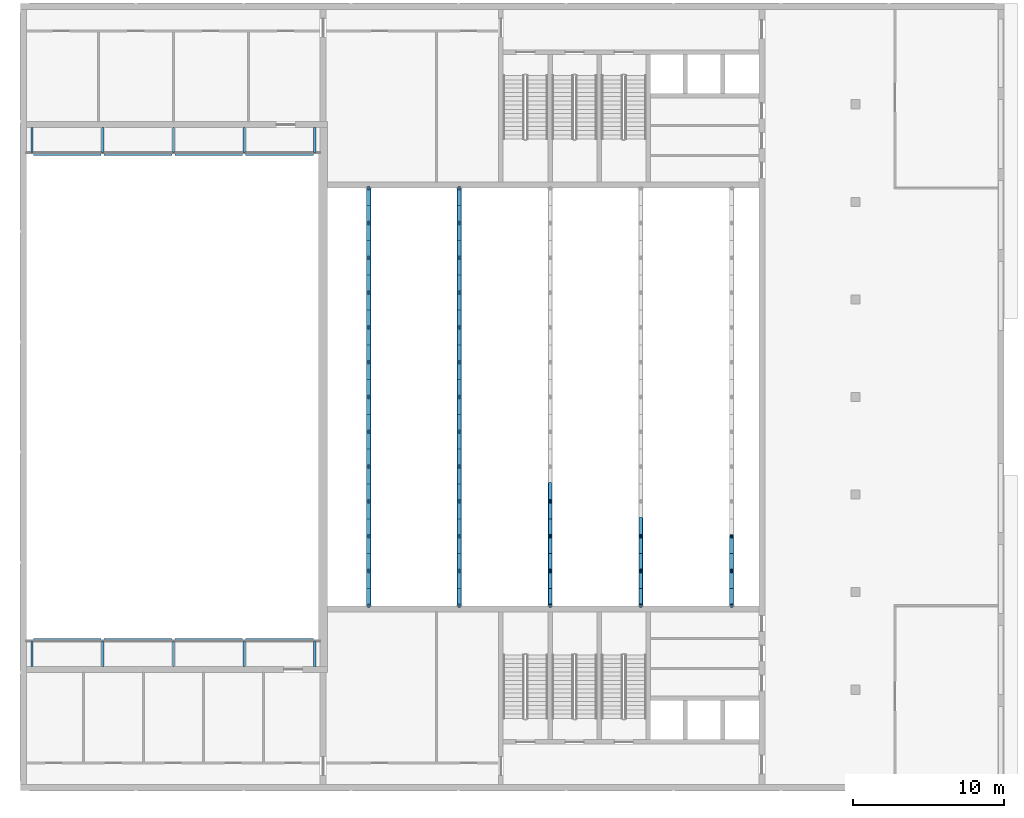
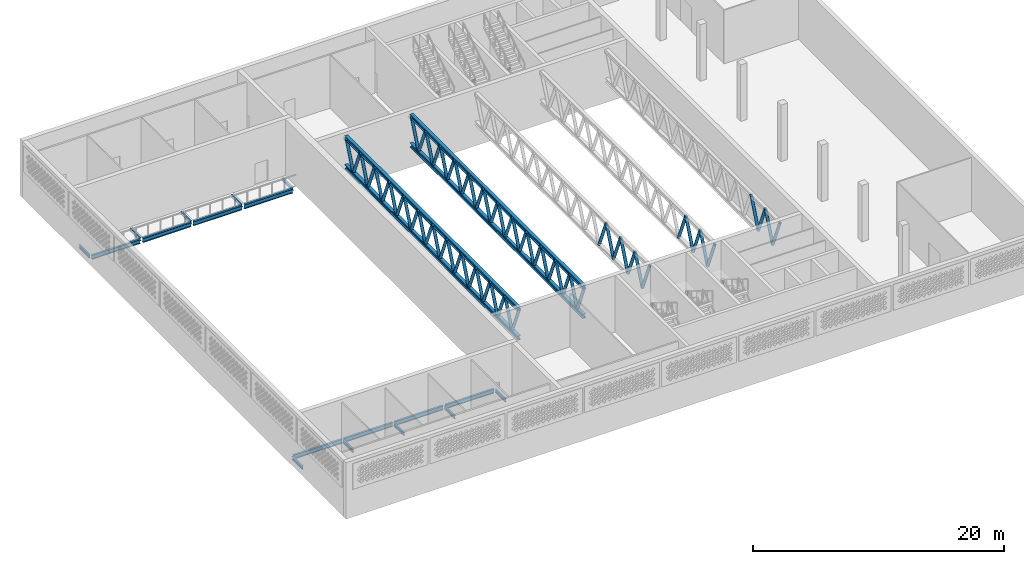
# One storey, part 3 of 69: 64 members, 22 beams.
"""IFC4 building model written with IfcOpenShell, lengths in metres."""

from ifc_helpers import new_model, si_unit, direction, frame, origin, origin_2d, place, context, subcontext, project, spatial, hollow_circle, i_section, extrude, material, material_profile, profile_set, type_object, element, save


model = new_model("IFC4")

# Units and contexts
model_context = context("Model", 3, precision=1e-05, world=origin(), true_north=direction((0.0, 1.0)))
body_context = subcontext(model_context, "Body", "Model", "MODEL_VIEW")
ifc_project = project(units=[si_unit("LENGTHUNIT", "METRE"), si_unit("AREAUNIT", "SQUARE_METRE"), si_unit("VOLUMEUNIT", "CUBIC_METRE"), si_unit("PLANEANGLEUNIT", "RADIAN"), si_unit("MASSUNIT", "GRAM", prefix="KILO")], contexts=[model_context])

# Site, building, storey
site_placement = place(None, origin())
site = spatial("IfcSite", under=ifc_project, at=site_placement, CompositionType="ELEMENT")
building_placement = place(site_placement, origin())
building = spatial("IfcBuilding", under=site, at=building_placement, Name="Noorbagh Ring Tower", CompositionType="ELEMENT")
storey_placement = place(building_placement, frame((0.0, 0.0, 19.5)))
storey = spatial("IfcBuildingStorey", under=building, at=storey_placement, Name="L03", CompositionType="ELEMENT", Elevation=19.5)

# Beams
ifc_material_1 = material(Name="Steel S355", Category="steel")
ifc_material_profile_1 = material_profile(ifc_material_1, i_section(OverallWidth=0.179931640625, OverallDepth=0.39990234375, WebThickness=0.008544921875, FlangeThickness=0.013427734375, FilletRadius=0.02099609375, at=origin_2d()), Name="IPE400")
ifc_profile_set_1 = profile_set([ifc_material_profile_1], Name="Steel S355")
beam_type_1 = type_object("IfcBeamType", Name="TH-GALLERY-BEAM", PredefinedType="BEAM", material=ifc_profile_set_1)
beam_1_placement = place(storey_placement, frame((-159.14990234375, -11.050048828125, -0.280029296875), z_axis=(1.0, 0.0, 0.0), x_axis=(0.0, 1.0, 0.0)))
element("IfcBeam", 1, at=beam_1_placement, inside=storey, type_object=beam_type_1, Name="L03/th-bm/gal-S-e0", PredefinedType="BEAM", context=body_context, shape_type="SweptSolid", body=[
    extrude(i_section(OverallWidth=0.179931640625, OverallDepth=0.39990234375, WebThickness=0.008544921875, FlangeThickness=0.013427734375, FilletRadius=0.02099609375, at=origin_2d()), origin(), (0.0, 0.0, 1.0), 4.474853515625),
])
for number, where, z_axis, x_axis, name in (
    (2, (-154.47509765625, -11.050048828125, -0.280029296875), (1.0, 0.0, 0.0), (0.0, 1.0, 0.0), "L03/th-bm/gal-S-e1"),
    (3, (-149.800048828125, -11.050048828125, -0.280029296875), (1.0, 0.0, 0.0), (0.0, 1.0, 0.0), "L03/th-bm/gal-S-e2"),
    (4, (-145.125, -11.050048828125, -0.280029296875), (1.0, 0.0, 0.0), (0.0, 1.0, 0.0), "L03/th-bm/gal-S-e3"),
):
    element("IfcBeam", number, at=place(storey_placement, frame(where, z_axis=z_axis, x_axis=x_axis)), inside=storey, type_object=beam_type_1, Name=name, PredefinedType="BEAM", context=body_context, shape_type="SweptSolid", body=[
        extrude(i_section(OverallWidth=0.179931640625, OverallDepth=0.39990234375, WebThickness=0.008544921875, FlangeThickness=0.013427734375, FilletRadius=0.02099609375, at=origin_2d()), origin(), (0.0, 0.0, 1.0), 4.47509765625),
    ])
beam_2_placement = place(storey_placement, frame((-159.14990234375, 21.050048828125, -0.280029296875), z_axis=(1.0, 0.0, 0.0), x_axis=(0.0, 1.0, 0.0)))
element("IfcBeam", 5, at=beam_2_placement, inside=storey, type_object=beam_type_1, Name="L03/th-bm/gal-N-e0", PredefinedType="BEAM", context=body_context, shape_type="SweptSolid", body=[
    extrude(i_section(OverallWidth=0.179931640625, OverallDepth=0.39990234375, WebThickness=0.008544921875, FlangeThickness=0.013427734375, FilletRadius=0.02099609375, at=origin_2d()), origin(), (0.0, 0.0, 1.0), 4.474853515625),
])
for number, where, z_axis, x_axis, name in (
    (6, (-154.47509765625, 21.050048828125, -0.280029296875), (1.0, 0.0, 0.0), (0.0, 1.0, 0.0), "L03/th-bm/gal-N-e1"),
    (7, (-149.800048828125, 21.050048828125, -0.280029296875), (1.0, 0.0, 0.0), (0.0, 1.0, 0.0), "L03/th-bm/gal-N-e2"),
    (8, (-145.125, 21.050048828125, -0.280029296875), (1.0, 0.0, 0.0), (0.0, 1.0, 0.0), "L03/th-bm/gal-N-e3"),
):
    element("IfcBeam", number, at=place(storey_placement, frame(where, z_axis=z_axis, x_axis=x_axis)), inside=storey, type_object=beam_type_1, Name=name, PredefinedType="BEAM", context=body_context, shape_type="SweptSolid", body=[
        extrude(i_section(OverallWidth=0.179931640625, OverallDepth=0.39990234375, WebThickness=0.008544921875, FlangeThickness=0.013427734375, FilletRadius=0.02099609375, at=origin_2d()), origin(), (0.0, 0.0, 1.0), 4.47509765625),
    ])
ifc_material_2 = material(Name="Steel S355", Category="steel")
ifc_material_profile_2 = material_profile(ifc_material_2, i_section(OverallWidth=0.14990234375, OverallDepth=0.300048828125, WebThickness=0.007080078125, FlangeThickness=0.0107421875, FilletRadius=0.014892578125, at=origin_2d()), Name="IPE300")
ifc_profile_set_2 = profile_set([ifc_material_profile_2], Name="Steel S355")
beam_type_2 = type_object("IfcBeamType", Name="TH-GALLERY-CROSS", PredefinedType="BEAM", material=ifc_profile_set_2)
for number, where, z_axis, x_axis, name in (
    (9, (-159.25, -12.800048828125, -0.22998046875), (0.0, 1.0, 0.0), (-1.0, 0.0, 0.0), "L03/th-bm/gal-S-x0"),
    (10, (-154.574951171875, -12.800048828125, -0.22998046875), (0.0, 1.0, 0.0), (-1.0, 0.0, 0.0), "L03/th-bm/gal-S-x1"),
    (11, (-149.89990234375, -12.800048828125, -0.22998046875), (0.0, 1.0, 0.0), (-1.0, 0.0, 0.0), "L03/th-bm/gal-S-x2"),
    (12, (-145.22509765625, -12.800048828125, -0.22998046875), (0.0, 1.0, 0.0), (-1.0, 0.0, 0.0), "L03/th-bm/gal-S-x3"),
    (13, (-140.550048828125, -12.800048828125, -0.22998046875), (0.0, 1.0, 0.0), (-1.0, 0.0, 0.0), "L03/th-bm/gal-S-x4"),
    (14, (-159.25, 22.800048828125, -0.22998046875), (0.0, -1.0, 0.0), (1.0, 0.0, 0.0), "L03/th-bm/gal-N-x0"),
    (15, (-154.574951171875, 22.800048828125, -0.22998046875), (0.0, -1.0, 0.0), (1.0, 0.0, 0.0), "L03/th-bm/gal-N-x1"),
    (16, (-149.89990234375, 22.800048828125, -0.22998046875), (0.0, -1.0, 0.0), (1.0, 0.0, 0.0), "L03/th-bm/gal-N-x2"),
    (17, (-145.22509765625, 22.800048828125, -0.22998046875), (0.0, -1.0, 0.0), (1.0, 0.0, 0.0), "L03/th-bm/gal-N-x3"),
    (18, (-140.550048828125, 22.800048828125, -0.22998046875), (0.0, -1.0, 0.0), (1.0, 0.0, 0.0), "L03/th-bm/gal-N-x4"),
):
    element("IfcBeam", number, at=place(storey_placement, frame(where, z_axis=z_axis, x_axis=x_axis)), inside=storey, type_object=beam_type_2, Name=name, PredefinedType="BEAM", context=body_context, shape_type="SweptSolid", body=[
        extrude(i_section(OverallWidth=0.14990234375, OverallDepth=0.300048828125, WebThickness=0.007080078125, FlangeThickness=0.0107421875, FilletRadius=0.014892578125, at=origin_2d()), origin(), (0.0, 0.0, 1.0), 1.650146484375),
    ])
ifc_material_3 = material(Name="Steel S355", Category="steel")
ifc_material_profile_3 = material_profile(ifc_material_3, i_section(OverallWidth=0.300048828125, OverallDepth=0.39990234375, WebThickness=0.013427734375, FlangeThickness=0.02392578125, FilletRadius=0.027099609375, at=origin_2d()), Name="HEB400")
ifc_profile_set_3 = profile_set([ifc_material_profile_3], Name="Steel S355")
beam_type_3 = type_object("IfcBeamType", Name="TH-TRUSS-CHORD", PredefinedType="BEAM", material=ifc_profile_set_3)
for number, where, z_axis, x_axis, name in (
    (19, (-137.0, -8.800048828125, 5.0), (0.0, 1.0, 0.0), (-1.0, 0.0, 0.0), "L03/th-truss/1-top"),
    (20, (-137.0, -8.800048828125, 2.199951171875), (0.0, 1.0, 0.0), (-1.0, 0.0, 0.0), "L03/th-truss/1-bot"),
    (21, (-131.0, -8.800048828125, 5.0), (0.0, 1.0, 0.0), (-1.0, 0.0, 0.0), "L03/th-truss/2-top"),
    (22, (-131.0, -8.800048828125, 2.199951171875), (0.0, 1.0, 0.0), (-1.0, 0.0, 0.0), "L03/th-truss/2-bot"),
):
    element("IfcBeam", number, at=place(storey_placement, frame(where, z_axis=z_axis, x_axis=x_axis)), inside=storey, type_object=beam_type_3, Name=name, PredefinedType="BEAM", context=body_context, shape_type="SweptSolid", body=[
        extrude(i_section(OverallWidth=0.300048828125, OverallDepth=0.39990234375, WebThickness=0.013427734375, FlangeThickness=0.02392578125, FilletRadius=0.027099609375, at=origin_2d()), origin(), (0.0, 0.0, 1.0), 27.60009765625),
    ])

# Members
ifc_material_4 = material(Name="Steel S355", Category="steel")
ifc_material_profile_4 = material_profile(ifc_material_4, hollow_circle(Radius=0.136474609375, WallThickness=0.012451171875, at=origin_2d()), Name="CHS273x12.5")
ifc_profile_set_4 = profile_set([ifc_material_profile_4], Name="Steel S355")
member_type = type_object("IfcMemberType", Name="TH-TRUSS-DIAG", PredefinedType="BRACE", material=ifc_profile_set_4)
member_1_placement = place(storey_placement, frame((-137.0, -8.800048828125, 5.0), z_axis=(0.0, 0.379954591726, -0.925005139568), x_axis=(-1.0, 0.0, 0.0)))
element("IfcMember", 23, at=member_1_placement, inside=storey, type_object=member_type, Name="L03/th-truss/1-d01", PredefinedType="BRACE", context=body_context, shape_type="SweptSolid", body=[
    extrude(hollow_circle(Radius=0.136474609375, WallThickness=0.012451171875, at=origin_2d()), origin(), (0.0, 0.0, 1.0), 3.027099609375),
])
for number, where, z_axis, x_axis, name in (
    (24, (-137.0, -7.64990234375, 2.199951171875), (0.0, 0.379885579371, 0.925033484035), (-1.0, 0.0, 0.0), "L03/th-truss/1-d02"),
    (25, (-137.0, -6.5, 5.0), (0.0, 0.379885579371, -0.925033484035), (-1.0, 0.0, 0.0), "L03/th-truss/1-d03"),
):
    element("IfcMember", number, at=place(storey_placement, frame(where, z_axis=z_axis, x_axis=x_axis)), inside=storey, type_object=member_type, Name=name, PredefinedType="BRACE", context=body_context, shape_type="SweptSolid", body=[
        extrude(hollow_circle(Radius=0.136474609375, WallThickness=0.012451171875, at=origin_2d()), origin(), (0.0, 0.0, 1.0), 3.02685546875),
    ])
member_2_placement = place(storey_placement, frame((-137.0, -5.35009765625, 2.199951171875), z_axis=(0.0, 0.379954591726, 0.925005139568), x_axis=(-1.0, 0.0, 0.0)))
element("IfcMember", 26, at=member_2_placement, inside=storey, type_object=member_type, Name="L03/th-truss/1-d04", PredefinedType="BRACE", context=body_context, shape_type="SweptSolid", body=[
    extrude(hollow_circle(Radius=0.136474609375, WallThickness=0.012451171875, at=origin_2d()), origin(), (0.0, 0.0, 1.0), 3.027099609375),
])
member_3_placement = place(storey_placement, frame((-137.0, -4.199951171875, 5.0), z_axis=(0.0, 0.379885579371, -0.925033484035), x_axis=(-1.0, 0.0, 0.0)))
element("IfcMember", 27, at=member_3_placement, inside=storey, type_object=member_type, Name="L03/th-truss/1-d05", PredefinedType="BRACE", context=body_context, shape_type="SweptSolid", body=[
    extrude(hollow_circle(Radius=0.136474609375, WallThickness=0.012451171875, at=origin_2d()), origin(), (0.0, 0.0, 1.0), 3.02685546875),
])
member_4_placement = place(storey_placement, frame((-137.0, -3.050048828125, 2.199951171875), z_axis=(0.0, 0.379954591726, 0.925005139568), x_axis=(-1.0, 0.0, 0.0)))
element("IfcMember", 28, at=member_4_placement, inside=storey, type_object=member_type, Name="L03/th-truss/1-d06", PredefinedType="BRACE", context=body_context, shape_type="SweptSolid", body=[
    extrude(hollow_circle(Radius=0.136474609375, WallThickness=0.012451171875, at=origin_2d()), origin(), (0.0, 0.0, 1.0), 3.027099609375),
])
for number, where, z_axis, x_axis, name in (
    (29, (-137.0, -1.89990234375, 5.0), (0.0, 0.379885579371, -0.925033484035), (-1.0, 0.0, 0.0), "L03/th-truss/1-d07"),
    (30, (-137.0, -0.75, 2.199951171875), (0.0, 0.379885579371, 0.925033484035), (-1.0, 0.0, 0.0), "L03/th-truss/1-d08"),
):
    element("IfcMember", number, at=place(storey_placement, frame(where, z_axis=z_axis, x_axis=x_axis)), inside=storey, type_object=member_type, Name=name, PredefinedType="BRACE", context=body_context, shape_type="SweptSolid", body=[
        extrude(hollow_circle(Radius=0.136474609375, WallThickness=0.012451171875, at=origin_2d()), origin(), (0.0, 0.0, 1.0), 3.02685546875),
    ])
member_5_placement = place(storey_placement, frame((-137.0, 0.39990234375, 5.0), z_axis=(0.0, 0.379954591726, -0.925005139568), x_axis=(-1.0, 0.0, 0.0)))
element("IfcMember", 31, at=member_5_placement, inside=storey, type_object=member_type, Name="L03/th-truss/1-d09", PredefinedType="BRACE", context=body_context, shape_type="SweptSolid", body=[
    extrude(hollow_circle(Radius=0.136474609375, WallThickness=0.012451171875, at=origin_2d()), origin(), (0.0, 0.0, 1.0), 3.027099609375),
])
member_6_placement = place(storey_placement, frame((-137.0, 1.550048828125, 2.199951171875), z_axis=(0.0, 0.379885579371, 0.925033484035), x_axis=(-1.0, 0.0, 0.0)))
element("IfcMember", 32, at=member_6_placement, inside=storey, type_object=member_type, Name="L03/th-truss/1-d10", PredefinedType="BRACE", context=body_context, shape_type="SweptSolid", body=[
    extrude(hollow_circle(Radius=0.136474609375, WallThickness=0.012451171875, at=origin_2d()), origin(), (0.0, 0.0, 1.0), 3.02685546875),
])
member_7_placement = place(storey_placement, frame((-137.0, 2.699951171875, 5.0), z_axis=(0.0, 0.379954591726, -0.925005139568), x_axis=(-1.0, 0.0, 0.0)))
element("IfcMember", 33, at=member_7_placement, inside=storey, type_object=member_type, Name="L03/th-truss/1-d11", PredefinedType="BRACE", context=body_context, shape_type="SweptSolid", body=[
    extrude(hollow_circle(Radius=0.136474609375, WallThickness=0.012451171875, at=origin_2d()), origin(), (0.0, 0.0, 1.0), 3.027099609375),
])
for number, where, z_axis, x_axis, name in (
    (34, (-137.0, 3.85009765625, 2.199951171875), (0.0, 0.379885579371, 0.925033484035), (-1.0, 0.0, 0.0), "L03/th-truss/1-d12"),
    (35, (-137.0, 5.0, 5.0), (0.0, 0.379885579371, -0.925033484035), (-1.0, 0.0, 0.0), "L03/th-truss/1-d13"),
):
    element("IfcMember", number, at=place(storey_placement, frame(where, z_axis=z_axis, x_axis=x_axis)), inside=storey, type_object=member_type, Name=name, PredefinedType="BRACE", context=body_context, shape_type="SweptSolid", body=[
        extrude(hollow_circle(Radius=0.136474609375, WallThickness=0.012451171875, at=origin_2d()), origin(), (0.0, 0.0, 1.0), 3.02685546875),
    ])
member_8_placement = place(storey_placement, frame((-137.0, 6.14990234375, 2.199951171875), z_axis=(0.0, 0.379954591726, 0.925005139568), x_axis=(-1.0, 0.0, 0.0)))
element("IfcMember", 36, at=member_8_placement, inside=storey, type_object=member_type, Name="L03/th-truss/1-d14", PredefinedType="BRACE", context=body_context, shape_type="SweptSolid", body=[
    extrude(hollow_circle(Radius=0.136474609375, WallThickness=0.012451171875, at=origin_2d()), origin(), (0.0, 0.0, 1.0), 3.027099609375),
])
member_9_placement = place(storey_placement, frame((-137.0, 7.300048828125, 5.0), z_axis=(0.0, 0.379885579371, -0.925033484035), x_axis=(-1.0, 0.0, 0.0)))
element("IfcMember", 37, at=member_9_placement, inside=storey, type_object=member_type, Name="L03/th-truss/1-d15", PredefinedType="BRACE", context=body_context, shape_type="SweptSolid", body=[
    extrude(hollow_circle(Radius=0.136474609375, WallThickness=0.012451171875, at=origin_2d()), origin(), (0.0, 0.0, 1.0), 3.02685546875),
])
member_10_placement = place(storey_placement, frame((-137.0, 8.449951171875, 2.199951171875), z_axis=(0.0, 0.379954591726, 0.925005139568), x_axis=(-1.0, 0.0, 0.0)))
element("IfcMember", 38, at=member_10_placement, inside=storey, type_object=member_type, Name="L03/th-truss/1-d16", PredefinedType="BRACE", context=body_context, shape_type="SweptSolid", body=[
    extrude(hollow_circle(Radius=0.136474609375, WallThickness=0.012451171875, at=origin_2d()), origin(), (0.0, 0.0, 1.0), 3.027099609375),
])
for number, where, z_axis, x_axis, name in (
    (39, (-137.0, 9.60009765625, 5.0), (0.0, 0.379885579371, -0.925033484035), (-1.0, 0.0, 0.0), "L03/th-truss/1-d17"),
    (40, (-137.0, 10.75, 2.199951171875), (0.0, 0.379885579371, 0.925033484035), (-1.0, 0.0, 0.0), "L03/th-truss/1-d18"),
):
    element("IfcMember", number, at=place(storey_placement, frame(where, z_axis=z_axis, x_axis=x_axis)), inside=storey, type_object=member_type, Name=name, PredefinedType="BRACE", context=body_context, shape_type="SweptSolid", body=[
        extrude(hollow_circle(Radius=0.136474609375, WallThickness=0.012451171875, at=origin_2d()), origin(), (0.0, 0.0, 1.0), 3.02685546875),
    ])
member_11_placement = place(storey_placement, frame((-137.0, 11.89990234375, 5.0), z_axis=(0.0, 0.379954591726, -0.925005139568), x_axis=(-1.0, 0.0, 0.0)))
element("IfcMember", 41, at=member_11_placement, inside=storey, type_object=member_type, Name="L03/th-truss/1-d19", PredefinedType="BRACE", context=body_context, shape_type="SweptSolid", body=[
    extrude(hollow_circle(Radius=0.136474609375, WallThickness=0.012451171875, at=origin_2d()), origin(), (0.0, 0.0, 1.0), 3.027099609375),
])
member_12_placement = place(storey_placement, frame((-137.0, 13.050048828125, 2.199951171875), z_axis=(0.0, 0.379885579371, 0.925033484035), x_axis=(-1.0, 0.0, 0.0)))
element("IfcMember", 42, at=member_12_placement, inside=storey, type_object=member_type, Name="L03/th-truss/1-d20", PredefinedType="BRACE", context=body_context, shape_type="SweptSolid", body=[
    extrude(hollow_circle(Radius=0.136474609375, WallThickness=0.012451171875, at=origin_2d()), origin(), (0.0, 0.0, 1.0), 3.02685546875),
])
member_13_placement = place(storey_placement, frame((-137.0, 14.199951171875, 5.0), z_axis=(0.0, 0.379954591726, -0.925005139568), x_axis=(-1.0, 0.0, 0.0)))
element("IfcMember", 43, at=member_13_placement, inside=storey, type_object=member_type, Name="L03/th-truss/1-d21", PredefinedType="BRACE", context=body_context, shape_type="SweptSolid", body=[
    extrude(hollow_circle(Radius=0.136474609375, WallThickness=0.012451171875, at=origin_2d()), origin(), (0.0, 0.0, 1.0), 3.027099609375),
])
for number, where, z_axis, x_axis, name in (
    (44, (-137.0, 15.35009765625, 2.199951171875), (0.0, 0.379885579371, 0.925033484035), (-1.0, 0.0, 0.0), "L03/th-truss/1-d22"),
    (45, (-137.0, 16.5, 5.0), (0.0, 0.379885579371, -0.925033484035), (-1.0, 0.0, 0.0), "L03/th-truss/1-d23"),
):
    element("IfcMember", number, at=place(storey_placement, frame(where, z_axis=z_axis, x_axis=x_axis)), inside=storey, type_object=member_type, Name=name, PredefinedType="BRACE", context=body_context, shape_type="SweptSolid", body=[
        extrude(hollow_circle(Radius=0.136474609375, WallThickness=0.012451171875, at=origin_2d()), origin(), (0.0, 0.0, 1.0), 3.02685546875),
    ])
for number, where, z_axis, x_axis, name in (
    (46, (-137.0, 17.64990234375, 2.199951171875), (0.0, 0.379954591726, 0.925005139568), (-1.0, 0.0, 0.0), "L03/th-truss/1-d24"),
    (47, (-131.0, -8.800048828125, 5.0), (0.0, 0.379954591726, -0.925005139568), (-1.0, 0.0, 0.0), "L03/th-truss/2-d01"),
):
    element("IfcMember", number, at=place(storey_placement, frame(where, z_axis=z_axis, x_axis=x_axis)), inside=storey, type_object=member_type, Name=name, PredefinedType="BRACE", context=body_context, shape_type="SweptSolid", body=[
        extrude(hollow_circle(Radius=0.136474609375, WallThickness=0.012451171875, at=origin_2d()), origin(), (0.0, 0.0, 1.0), 3.027099609375),
    ])
for number, where, z_axis, x_axis, name in (
    (48, (-131.0, -7.64990234375, 2.199951171875), (0.0, 0.379885579371, 0.925033484035), (-1.0, 0.0, 0.0), "L03/th-truss/2-d02"),
    (49, (-131.0, -6.5, 5.0), (0.0, 0.379885579371, -0.925033484035), (-1.0, 0.0, 0.0), "L03/th-truss/2-d03"),
):
    element("IfcMember", number, at=place(storey_placement, frame(where, z_axis=z_axis, x_axis=x_axis)), inside=storey, type_object=member_type, Name=name, PredefinedType="BRACE", context=body_context, shape_type="SweptSolid", body=[
        extrude(hollow_circle(Radius=0.136474609375, WallThickness=0.012451171875, at=origin_2d()), origin(), (0.0, 0.0, 1.0), 3.02685546875),
    ])
member_14_placement = place(storey_placement, frame((-131.0, -5.35009765625, 2.199951171875), z_axis=(0.0, 0.379954591726, 0.925005139568), x_axis=(-1.0, 0.0, 0.0)))
element("IfcMember", 50, at=member_14_placement, inside=storey, type_object=member_type, Name="L03/th-truss/2-d04", PredefinedType="BRACE", context=body_context, shape_type="SweptSolid", body=[
    extrude(hollow_circle(Radius=0.136474609375, WallThickness=0.012451171875, at=origin_2d()), origin(), (0.0, 0.0, 1.0), 3.027099609375),
])
member_15_placement = place(storey_placement, frame((-131.0, -4.199951171875, 5.0), z_axis=(0.0, 0.379885579371, -0.925033484035), x_axis=(-1.0, 0.0, 0.0)))
element("IfcMember", 51, at=member_15_placement, inside=storey, type_object=member_type, Name="L03/th-truss/2-d05", PredefinedType="BRACE", context=body_context, shape_type="SweptSolid", body=[
    extrude(hollow_circle(Radius=0.136474609375, WallThickness=0.012451171875, at=origin_2d()), origin(), (0.0, 0.0, 1.0), 3.02685546875),
])
member_16_placement = place(storey_placement, frame((-131.0, -3.050048828125, 2.199951171875), z_axis=(0.0, 0.379954591726, 0.925005139568), x_axis=(-1.0, 0.0, 0.0)))
element("IfcMember", 52, at=member_16_placement, inside=storey, type_object=member_type, Name="L03/th-truss/2-d06", PredefinedType="BRACE", context=body_context, shape_type="SweptSolid", body=[
    extrude(hollow_circle(Radius=0.136474609375, WallThickness=0.012451171875, at=origin_2d()), origin(), (0.0, 0.0, 1.0), 3.027099609375),
])
for number, where, z_axis, x_axis, name in (
    (53, (-131.0, -1.89990234375, 5.0), (0.0, 0.379885579371, -0.925033484035), (-1.0, 0.0, 0.0), "L03/th-truss/2-d07"),
    (54, (-131.0, -0.75, 2.199951171875), (0.0, 0.379885579371, 0.925033484035), (-1.0, 0.0, 0.0), "L03/th-truss/2-d08"),
):
    element("IfcMember", number, at=place(storey_placement, frame(where, z_axis=z_axis, x_axis=x_axis)), inside=storey, type_object=member_type, Name=name, PredefinedType="BRACE", context=body_context, shape_type="SweptSolid", body=[
        extrude(hollow_circle(Radius=0.136474609375, WallThickness=0.012451171875, at=origin_2d()), origin(), (0.0, 0.0, 1.0), 3.02685546875),
    ])
member_17_placement = place(storey_placement, frame((-131.0, 0.39990234375, 5.0), z_axis=(0.0, 0.379954591726, -0.925005139568), x_axis=(-1.0, 0.0, 0.0)))
element("IfcMember", 55, at=member_17_placement, inside=storey, type_object=member_type, Name="L03/th-truss/2-d09", PredefinedType="BRACE", context=body_context, shape_type="SweptSolid", body=[
    extrude(hollow_circle(Radius=0.136474609375, WallThickness=0.012451171875, at=origin_2d()), origin(), (0.0, 0.0, 1.0), 3.027099609375),
])
member_18_placement = place(storey_placement, frame((-131.0, 1.550048828125, 2.199951171875), z_axis=(0.0, 0.379885579371, 0.925033484035), x_axis=(-1.0, 0.0, 0.0)))
element("IfcMember", 56, at=member_18_placement, inside=storey, type_object=member_type, Name="L03/th-truss/2-d10", PredefinedType="BRACE", context=body_context, shape_type="SweptSolid", body=[
    extrude(hollow_circle(Radius=0.136474609375, WallThickness=0.012451171875, at=origin_2d()), origin(), (0.0, 0.0, 1.0), 3.02685546875),
])
member_19_placement = place(storey_placement, frame((-131.0, 2.699951171875, 5.0), z_axis=(0.0, 0.379954591726, -0.925005139568), x_axis=(-1.0, 0.0, 0.0)))
element("IfcMember", 57, at=member_19_placement, inside=storey, type_object=member_type, Name="L03/th-truss/2-d11", PredefinedType="BRACE", context=body_context, shape_type="SweptSolid", body=[
    extrude(hollow_circle(Radius=0.136474609375, WallThickness=0.012451171875, at=origin_2d()), origin(), (0.0, 0.0, 1.0), 3.027099609375),
])
for number, where, z_axis, x_axis, name in (
    (58, (-131.0, 3.85009765625, 2.199951171875), (0.0, 0.379885579371, 0.925033484035), (-1.0, 0.0, 0.0), "L03/th-truss/2-d12"),
    (59, (-131.0, 5.0, 5.0), (0.0, 0.379885579371, -0.925033484035), (-1.0, 0.0, 0.0), "L03/th-truss/2-d13"),
):
    element("IfcMember", number, at=place(storey_placement, frame(where, z_axis=z_axis, x_axis=x_axis)), inside=storey, type_object=member_type, Name=name, PredefinedType="BRACE", context=body_context, shape_type="SweptSolid", body=[
        extrude(hollow_circle(Radius=0.136474609375, WallThickness=0.012451171875, at=origin_2d()), origin(), (0.0, 0.0, 1.0), 3.02685546875),
    ])
member_20_placement = place(storey_placement, frame((-131.0, 6.14990234375, 2.199951171875), z_axis=(0.0, 0.379954591726, 0.925005139568), x_axis=(-1.0, 0.0, 0.0)))
element("IfcMember", 60, at=member_20_placement, inside=storey, type_object=member_type, Name="L03/th-truss/2-d14", PredefinedType="BRACE", context=body_context, shape_type="SweptSolid", body=[
    extrude(hollow_circle(Radius=0.136474609375, WallThickness=0.012451171875, at=origin_2d()), origin(), (0.0, 0.0, 1.0), 3.027099609375),
])
member_21_placement = place(storey_placement, frame((-131.0, 7.300048828125, 5.0), z_axis=(0.0, 0.379885579371, -0.925033484035), x_axis=(-1.0, 0.0, 0.0)))
element("IfcMember", 61, at=member_21_placement, inside=storey, type_object=member_type, Name="L03/th-truss/2-d15", PredefinedType="BRACE", context=body_context, shape_type="SweptSolid", body=[
    extrude(hollow_circle(Radius=0.136474609375, WallThickness=0.012451171875, at=origin_2d()), origin(), (0.0, 0.0, 1.0), 3.02685546875),
])
member_22_placement = place(storey_placement, frame((-131.0, 8.449951171875, 2.199951171875), z_axis=(0.0, 0.379954591726, 0.925005139568), x_axis=(-1.0, 0.0, 0.0)))
element("IfcMember", 62, at=member_22_placement, inside=storey, type_object=member_type, Name="L03/th-truss/2-d16", PredefinedType="BRACE", context=body_context, shape_type="SweptSolid", body=[
    extrude(hollow_circle(Radius=0.136474609375, WallThickness=0.012451171875, at=origin_2d()), origin(), (0.0, 0.0, 1.0), 3.027099609375),
])
for number, where, z_axis, x_axis, name in (
    (63, (-131.0, 9.60009765625, 5.0), (0.0, 0.379885579371, -0.925033484035), (-1.0, 0.0, 0.0), "L03/th-truss/2-d17"),
    (64, (-131.0, 10.75, 2.199951171875), (0.0, 0.379885579371, 0.925033484035), (-1.0, 0.0, 0.0), "L03/th-truss/2-d18"),
):
    element("IfcMember", number, at=place(storey_placement, frame(where, z_axis=z_axis, x_axis=x_axis)), inside=storey, type_object=member_type, Name=name, PredefinedType="BRACE", context=body_context, shape_type="SweptSolid", body=[
        extrude(hollow_circle(Radius=0.136474609375, WallThickness=0.012451171875, at=origin_2d()), origin(), (0.0, 0.0, 1.0), 3.02685546875),
    ])
member_23_placement = place(storey_placement, frame((-131.0, 11.89990234375, 5.0), z_axis=(0.0, 0.379954591726, -0.925005139568), x_axis=(-1.0, 0.0, 0.0)))
element("IfcMember", 65, at=member_23_placement, inside=storey, type_object=member_type, Name="L03/th-truss/2-d19", PredefinedType="BRACE", context=body_context, shape_type="SweptSolid", body=[
    extrude(hollow_circle(Radius=0.136474609375, WallThickness=0.012451171875, at=origin_2d()), origin(), (0.0, 0.0, 1.0), 3.027099609375),
])
member_24_placement = place(storey_placement, frame((-131.0, 13.050048828125, 2.199951171875), z_axis=(0.0, 0.379885579371, 0.925033484035), x_axis=(-1.0, 0.0, 0.0)))
element("IfcMember", 66, at=member_24_placement, inside=storey, type_object=member_type, Name="L03/th-truss/2-d20", PredefinedType="BRACE", context=body_context, shape_type="SweptSolid", body=[
    extrude(hollow_circle(Radius=0.136474609375, WallThickness=0.012451171875, at=origin_2d()), origin(), (0.0, 0.0, 1.0), 3.02685546875),
])
member_25_placement = place(storey_placement, frame((-131.0, 14.199951171875, 5.0), z_axis=(0.0, 0.379954591726, -0.925005139568), x_axis=(-1.0, 0.0, 0.0)))
element("IfcMember", 67, at=member_25_placement, inside=storey, type_object=member_type, Name="L03/th-truss/2-d21", PredefinedType="BRACE", context=body_context, shape_type="SweptSolid", body=[
    extrude(hollow_circle(Radius=0.136474609375, WallThickness=0.012451171875, at=origin_2d()), origin(), (0.0, 0.0, 1.0), 3.027099609375),
])
for number, where, z_axis, x_axis, name in (
    (68, (-131.0, 15.35009765625, 2.199951171875), (0.0, 0.379885579371, 0.925033484035), (-1.0, 0.0, 0.0), "L03/th-truss/2-d22"),
    (69, (-131.0, 16.5, 5.0), (0.0, 0.379885579371, -0.925033484035), (-1.0, 0.0, 0.0), "L03/th-truss/2-d23"),
):
    element("IfcMember", number, at=place(storey_placement, frame(where, z_axis=z_axis, x_axis=x_axis)), inside=storey, type_object=member_type, Name=name, PredefinedType="BRACE", context=body_context, shape_type="SweptSolid", body=[
        extrude(hollow_circle(Radius=0.136474609375, WallThickness=0.012451171875, at=origin_2d()), origin(), (0.0, 0.0, 1.0), 3.02685546875),
    ])
for number, where, z_axis, x_axis, name in (
    (70, (-131.0, 17.64990234375, 2.199951171875), (0.0, 0.379954591726, 0.925005139568), (-1.0, 0.0, 0.0), "L03/th-truss/2-d24"),
    (71, (-125.0, -8.800048828125, 5.0), (0.0, 0.379954591726, -0.925005139568), (-1.0, 0.0, 0.0), "L03/th-truss/3-d01"),
):
    element("IfcMember", number, at=place(storey_placement, frame(where, z_axis=z_axis, x_axis=x_axis)), inside=storey, type_object=member_type, Name=name, PredefinedType="BRACE", context=body_context, shape_type="SweptSolid", body=[
        extrude(hollow_circle(Radius=0.136474609375, WallThickness=0.012451171875, at=origin_2d()), origin(), (0.0, 0.0, 1.0), 3.027099609375),
    ])
for number, where, z_axis, x_axis, name in (
    (72, (-125.0, -7.64990234375, 2.199951171875), (0.0, 0.379885579371, 0.925033484035), (-1.0, 0.0, 0.0), "L03/th-truss/3-d02"),
    (73, (-125.0, -6.5, 5.0), (0.0, 0.379885579371, -0.925033484035), (-1.0, 0.0, 0.0), "L03/th-truss/3-d03"),
):
    element("IfcMember", number, at=place(storey_placement, frame(where, z_axis=z_axis, x_axis=x_axis)), inside=storey, type_object=member_type, Name=name, PredefinedType="BRACE", context=body_context, shape_type="SweptSolid", body=[
        extrude(hollow_circle(Radius=0.136474609375, WallThickness=0.012451171875, at=origin_2d()), origin(), (0.0, 0.0, 1.0), 3.02685546875),
    ])
member_26_placement = place(storey_placement, frame((-125.0, -5.35009765625, 2.199951171875), z_axis=(0.0, 0.379954591726, 0.925005139568), x_axis=(-1.0, 0.0, 0.0)))
element("IfcMember", 74, at=member_26_placement, inside=storey, type_object=member_type, Name="L03/th-truss/3-d04", PredefinedType="BRACE", context=body_context, shape_type="SweptSolid", body=[
    extrude(hollow_circle(Radius=0.136474609375, WallThickness=0.012451171875, at=origin_2d()), origin(), (0.0, 0.0, 1.0), 3.027099609375),
])
member_27_placement = place(storey_placement, frame((-125.0, -4.199951171875, 5.0), z_axis=(0.0, 0.379885579371, -0.925033484035), x_axis=(-1.0, 0.0, 0.0)))
element("IfcMember", 75, at=member_27_placement, inside=storey, type_object=member_type, Name="L03/th-truss/3-d05", PredefinedType="BRACE", context=body_context, shape_type="SweptSolid", body=[
    extrude(hollow_circle(Radius=0.136474609375, WallThickness=0.012451171875, at=origin_2d()), origin(), (0.0, 0.0, 1.0), 3.02685546875),
])
member_28_placement = place(storey_placement, frame((-125.0, -3.050048828125, 2.199951171875), z_axis=(0.0, 0.379954591726, 0.925005139568), x_axis=(-1.0, 0.0, 0.0)))
element("IfcMember", 76, at=member_28_placement, inside=storey, type_object=member_type, Name="L03/th-truss/3-d06", PredefinedType="BRACE", context=body_context, shape_type="SweptSolid", body=[
    extrude(hollow_circle(Radius=0.136474609375, WallThickness=0.012451171875, at=origin_2d()), origin(), (0.0, 0.0, 1.0), 3.027099609375),
])
member_29_placement = place(storey_placement, frame((-125.0, -1.89990234375, 5.0), z_axis=(0.0, 0.379885579371, -0.925033484035), x_axis=(-1.0, 0.0, 0.0)))
element("IfcMember", 77, at=member_29_placement, inside=storey, type_object=member_type, Name="L03/th-truss/3-d07", PredefinedType="BRACE", context=body_context, shape_type="SweptSolid", body=[
    extrude(hollow_circle(Radius=0.136474609375, WallThickness=0.012451171875, at=origin_2d()), origin(), (0.0, 0.0, 1.0), 3.02685546875),
])
member_30_placement = place(storey_placement, frame((-119.0, -8.800048828125, 5.0), z_axis=(0.0, 0.379954591726, -0.925005139568), x_axis=(-1.0, 0.0, 0.0)))
element("IfcMember", 78, at=member_30_placement, inside=storey, type_object=member_type, Name="L03/th-truss/4-d01", PredefinedType="BRACE", context=body_context, shape_type="SweptSolid", body=[
    extrude(hollow_circle(Radius=0.136474609375, WallThickness=0.012451171875, at=origin_2d()), origin(), (0.0, 0.0, 1.0), 3.027099609375),
])
for number, where, z_axis, x_axis, name in (
    (79, (-119.0, -7.64990234375, 2.199951171875), (0.0, 0.379885579371, 0.925033484035), (-1.0, 0.0, 0.0), "L03/th-truss/4-d02"),
    (80, (-119.0, -6.5, 5.0), (0.0, 0.379885579371, -0.925033484035), (-1.0, 0.0, 0.0), "L03/th-truss/4-d03"),
):
    element("IfcMember", number, at=place(storey_placement, frame(where, z_axis=z_axis, x_axis=x_axis)), inside=storey, type_object=member_type, Name=name, PredefinedType="BRACE", context=body_context, shape_type="SweptSolid", body=[
        extrude(hollow_circle(Radius=0.136474609375, WallThickness=0.012451171875, at=origin_2d()), origin(), (0.0, 0.0, 1.0), 3.02685546875),
    ])
member_31_placement = place(storey_placement, frame((-119.0, -5.35009765625, 2.199951171875), z_axis=(0.0, 0.379954591726, 0.925005139568), x_axis=(-1.0, 0.0, 0.0)))
element("IfcMember", 81, at=member_31_placement, inside=storey, type_object=member_type, Name="L03/th-truss/4-d04", PredefinedType="BRACE", context=body_context, shape_type="SweptSolid", body=[
    extrude(hollow_circle(Radius=0.136474609375, WallThickness=0.012451171875, at=origin_2d()), origin(), (0.0, 0.0, 1.0), 3.027099609375),
])
member_32_placement = place(storey_placement, frame((-119.0, -4.199951171875, 5.0), z_axis=(0.0, 0.379885579371, -0.925033484035), x_axis=(-1.0, 0.0, 0.0)))
element("IfcMember", 82, at=member_32_placement, inside=storey, type_object=member_type, Name="L03/th-truss/4-d05", PredefinedType="BRACE", context=body_context, shape_type="SweptSolid", body=[
    extrude(hollow_circle(Radius=0.136474609375, WallThickness=0.012451171875, at=origin_2d()), origin(), (0.0, 0.0, 1.0), 3.02685546875),
])
member_33_placement = place(storey_placement, frame((-113.0, -8.800048828125, 5.0), z_axis=(0.0, 0.379954591726, -0.925005139568), x_axis=(-1.0, 0.0, 0.0)))
element("IfcMember", 83, at=member_33_placement, inside=storey, type_object=member_type, Name="L03/th-truss/5-d01", PredefinedType="BRACE", context=body_context, shape_type="SweptSolid", body=[
    extrude(hollow_circle(Radius=0.136474609375, WallThickness=0.012451171875, at=origin_2d()), origin(), (0.0, 0.0, 1.0), 3.027099609375),
])
for number, where, z_axis, x_axis, name in (
    (84, (-113.0, -7.64990234375, 2.199951171875), (0.0, 0.379885579371, 0.925033484035), (-1.0, 0.0, 0.0), "L03/th-truss/5-d02"),
    (85, (-113.0, -6.5, 5.0), (0.0, 0.379885579371, -0.925033484035), (-1.0, 0.0, 0.0), "L03/th-truss/5-d03"),
):
    element("IfcMember", number, at=place(storey_placement, frame(where, z_axis=z_axis, x_axis=x_axis)), inside=storey, type_object=member_type, Name=name, PredefinedType="BRACE", context=body_context, shape_type="SweptSolid", body=[
        extrude(hollow_circle(Radius=0.136474609375, WallThickness=0.012451171875, at=origin_2d()), origin(), (0.0, 0.0, 1.0), 3.02685546875),
    ])
member_34_placement = place(storey_placement, frame((-113.0, -5.35009765625, 2.199951171875), z_axis=(0.0, 0.379954591726, 0.925005139568), x_axis=(-1.0, 0.0, 0.0)))
element("IfcMember", 86, at=member_34_placement, inside=storey, type_object=member_type, Name="L03/th-truss/5-d04", PredefinedType="BRACE", context=body_context, shape_type="SweptSolid", body=[
    extrude(hollow_circle(Radius=0.136474609375, WallThickness=0.012451171875, at=origin_2d()), origin(), (0.0, 0.0, 1.0), 3.027099609375),
])

save(model, "model.ifc")
